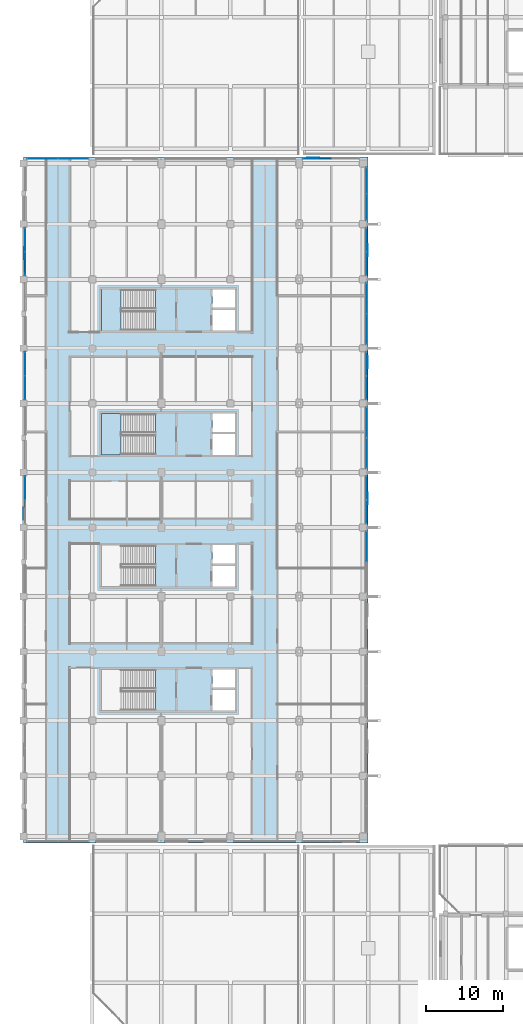
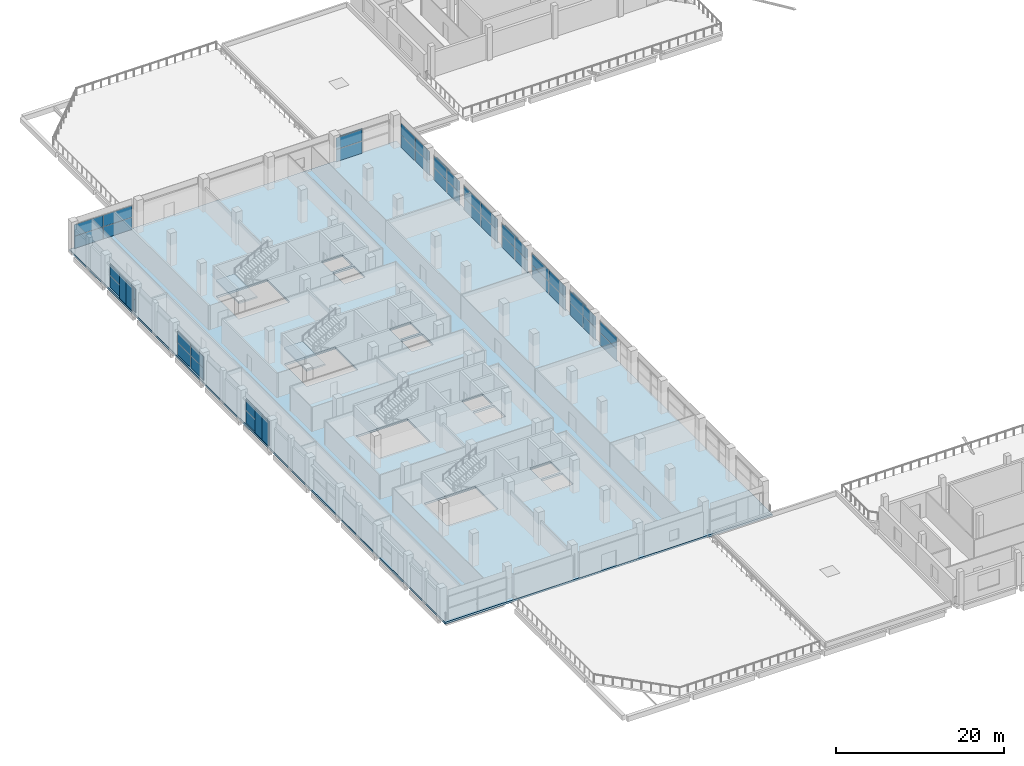
# One storey, part 38 of 82: 54 plates, 3 slabs, 14 elements without a shape of their own.
"""IFC4 building model written with IfcOpenShell, lengths in metres."""

from ifc_helpers import new_model, si_unit, direction, frame, origin, origin_2d, place, context, subcontext, project, spatial, polyline, rectangle, outline, extrude, material, layer, layer_set, type_object, element, aggregate, save


model = new_model("IFC4")

# Units and contexts
model_context = context("Model", 3, precision=1e-05, world=origin(), true_north=direction((0.0, 1.0)))
body_context = subcontext(model_context, "Body", "Model", "MODEL_VIEW")
ifc_project = project(units=[si_unit("LENGTHUNIT", "METRE"), si_unit("AREAUNIT", "SQUARE_METRE"), si_unit("VOLUMEUNIT", "CUBIC_METRE"), si_unit("PLANEANGLEUNIT", "RADIAN"), si_unit("MASSUNIT", "GRAM", prefix="KILO"), si_unit("THERMODYNAMICTEMPERATUREUNIT", "KELVIN"), si_unit("POWERUNIT", "WATT")], contexts=[model_context])

# Site, building, storey
site_placement = place(None, origin())
site = spatial("IfcSite", under=ifc_project, at=site_placement, CompositionType="ELEMENT")
building_placement = place(site_placement, origin())
building = spatial("IfcBuilding", under=site, at=building_placement, Name="Sindhuravela Promenade Stadium", CompositionType="ELEMENT")
storey_placement = place(building_placement, frame((0.0, 0.0, 14.39990234375)))
storey = spatial("IfcBuildingStorey", under=building, at=storey_placement, Name="L03", CompositionType="ELEMENT", Elevation=14.39990234375)

# Plates
ifc_material_1 = material(Name="Perforated terracotta celosia brick (15 MPa)", Category="masonry")
ifc_layer_1 = layer(ifc_material_1, 0.090087890625)
ifc_layer_set_1 = layer_set([ifc_layer_1], Name="Perforated terracotta celosia brick (15 MPa)")
plate_type_1 = type_object("IfcPlateType", Name="CL-SCR-01", PredefinedType="USERDEFINED", material=ifc_layer_set_1)
for number, where, z_axis, x_axis, name in (
    (1, (0.1201171875, 113.205078125, 0.0), (0.0, 0.0, 1.0), (0.0, 1.0, 0.0), "Perforated brick celosia screen WEST L03-32"),
    (2, (44.8798828125, 113.594970703125, 0.0), (0.0, 0.0, 1.0), (0.0, -1.0, 0.0), "Perforated brick celosia screen WEST L03-36"),
    (3, (44.8798828125, 81.195068359375, 0.0), (0.0, 0.0, 1.0), (0.0, -1.0, 0.0), "Perforated brick celosia screen WEST L03-40"),
):
    element("IfcPlate", number, at=place(storey_placement, frame(where, z_axis=z_axis, x_axis=x_axis)), inside=storey, type_object=plate_type_1, Name=name, ObjectType="SCREEN PANEL", PredefinedType="USERDEFINED", context=body_context, shape_type="SweptSolid", body=[
        extrude(rectangle(XDim=1.56005859375, YDim=0.090087890625, at=origin_2d()), origin(), (0.0, 0.0, 1.0), 3.580078125),
    ])
ifc_layer_2 = layer(ifc_material_1, 0.114990234375)
ifc_layer_set_2 = layer_set([ifc_layer_2], Name="Perforated terracotta celosia brick (15 MPa)")
plate_type_2 = type_object("IfcPlateType", Name="CL-SCR-02", PredefinedType="USERDEFINED", material=ifc_layer_set_2)
for number, where, z_axis, x_axis, name in (
    (4, (0.1201171875, 79.205078125, 0.0), (0.0, 0.0, 1.0), (0.0, 1.0, 0.0), "Perforated brick celosia screen WEST L03-29"),
    (5, (37.804931640625, 125.6298828125, 0.0), (0.0, 0.0, 1.0), (1.0, 0.0, 0.0), "Perforated brick celosia screen WEST L03-33"),
    (6, (44.8798828125, 98.9951171875, 0.0), (0.0, 0.0, 1.0), (0.0, -1.0, 0.0), "Perforated brick celosia screen WEST L03-37"),
):
    element("IfcPlate", number, at=place(storey_placement, frame(where, z_axis=z_axis, x_axis=x_axis)), inside=storey, type_object=plate_type_2, Name=name, ObjectType="SCREEN PANEL", PredefinedType="USERDEFINED", context=body_context, shape_type="SweptSolid", body=[
        extrude(rectangle(XDim=1.56005859375, YDim=0.114990234375, at=origin_2d()), origin(), (0.0, 0.0, 1.0), 3.580078125),
    ])
ifc_layer_3 = layer(ifc_material_1, 0.139892578125)
ifc_layer_set_3 = layer_set([ifc_layer_3], Name="Perforated terracotta celosia brick (15 MPa)")
plate_type_3 = type_object("IfcPlateType", Name="CL-SCR-03", PredefinedType="USERDEFINED", material=ifc_layer_set_3)
for number, where, z_axis, x_axis, name in (
    (7, (0.1201171875, 80.804931640625, 0.0), (0.0, 0.0, 1.0), (0.0, 1.0, 0.0), "Perforated brick celosia screen WEST L03-30"),
    (8, (39.405029296875, 125.6298828125, 0.0), (0.0, 0.0, 1.0), (1.0, 0.0, 0.0), "Perforated brick celosia screen WEST L03-34"),
    (9, (44.8798828125, 97.39501953125, 0.0), (0.0, 0.0, 1.0), (0.0, -1.0, 0.0), "Perforated brick celosia screen WEST L03-38"),
):
    element("IfcPlate", number, at=place(storey_placement, frame(where, z_axis=z_axis, x_axis=x_axis)), inside=storey, type_object=plate_type_3, Name=name, ObjectType="SCREEN PANEL", PredefinedType="USERDEFINED", context=body_context, shape_type="SweptSolid", body=[
        extrude(rectangle(XDim=1.56005859375, YDim=0.139892578125, at=origin_2d()), origin(), (0.0, 0.0, 1.0), 3.580078125),
    ])
ifc_layer_4 = layer(ifc_material_1, 0.1650390625)
ifc_layer_set_4 = layer_set([ifc_layer_4], Name="Perforated terracotta celosia brick (15 MPa)")
plate_type_4 = type_object("IfcPlateType", Name="CL-SCR-04", PredefinedType="USERDEFINED", material=ifc_layer_set_4)
for number, where, z_axis, x_axis, name in (
    (10, (0.1201171875, 111.60498046875, 0.0), (0.0, 0.0, 1.0), (0.0, 1.0, 0.0), "Perforated brick celosia screen WEST L03-31"),
    (11, (44.8798828125, 115.195068359375, 0.0), (0.0, 0.0, 1.0), (0.0, -1.0, 0.0), "Perforated brick celosia screen WEST L03-35"),
    (12, (44.8798828125, 82.794921875, 0.0), (0.0, 0.0, 1.0), (0.0, -1.0, 0.0), "Perforated brick celosia screen WEST L03-39"),
):
    element("IfcPlate", number, at=place(storey_placement, frame(where, z_axis=z_axis, x_axis=x_axis)), inside=storey, type_object=plate_type_4, Name=name, ObjectType="SCREEN PANEL", PredefinedType="USERDEFINED", context=body_context, shape_type="SweptSolid", body=[
        extrude(rectangle(XDim=1.56005859375, YDim=0.1650390625, at=origin_2d()), origin(), (0.0, 0.0, 1.0), 3.580078125),
    ])

# Curtain wall, plates
ifc_material_2 = material(Name="Anodised architectural aluminium 6063-T6", Category="aluminium")
curtain_wall_type_1 = type_object("IfcCurtainWallType", Name="CW-MOD-7", PredefinedType="NOTDEFINED", material=ifc_material_2)
curtain_wall_1_placement = place(storey_placement, origin())
curtain_wall_1 = element("IfcCurtainWall", 13, at=curtain_wall_1_placement, inside=storey, type_object=curtain_wall_type_1, Name="Bronze curtain wall CW-WEST-L03-030", PredefinedType="NOTDEFINED")
ifc_material_3 = material(Name="Tempered laminated low-E glass", Category="glass")
ifc_layer_5 = layer(ifc_material_3, 0.028076171875)
ifc_layer_set_5 = layer_set([ifc_layer_5], Name="Tempered laminated low-E glass")
plate_type_5 = type_object("IfcPlateType", Name="CW-PNL-01", PredefinedType="CURTAIN_PANEL", material=ifc_layer_set_5)
plate_1_placement = place(storey_placement, frame((0.199951171875, 82.550048828125, 0.01513671875), z_axis=(0.0, 0.0, 1.0), x_axis=(0.0, 1.0, 0.0)))
plate_1 = element("IfcPlate", 14, at=plate_1_placement, type_object=plate_type_5, Name="Glazed curtain panel CW-WEST-L03-030-P2.1", PredefinedType="CURTAIN_PANEL", context=body_context, shape_type="SweptSolid", body=[
    extrude(rectangle(XDim=3.0400390625, YDim=0.028076171875, at=origin_2d()), origin(), (0.0, 0.0, 1.0), 1.760009765625),
])
plate_2_placement = place(storey_placement, frame((0.199951171875, 82.550048828125, 1.80517578125), z_axis=(0.0, 0.0, 1.0), x_axis=(0.0, 1.0, 0.0)))
plate_2 = element("IfcPlate", 15, at=plate_2_placement, type_object=plate_type_5, Name="Glazed curtain panel CW-WEST-L03-030-P2.2", PredefinedType="CURTAIN_PANEL", context=body_context, shape_type="SweptSolid", body=[
    extrude(rectangle(XDim=3.0400390625, YDim=0.028076171875, at=origin_2d()), origin(), (0.0, 0.0, 1.0), 1.679931640625),
])
aggregate(curtain_wall_1, [plate_1, plate_2])

curtain_wall_type_2 = type_object("IfcCurtainWallType", Name="CW-MOD-1", PredefinedType="NOTDEFINED", material=ifc_material_2)
curtain_wall_2_placement = place(storey_placement, origin())
curtain_wall_2 = element("IfcCurtainWall", 16, at=curtain_wall_2_placement, inside=storey, type_object=curtain_wall_type_2, Name="Bronze curtain wall CW-WEST-L03-032", PredefinedType="NOTDEFINED")
plate_3_placement = place(storey_placement, frame((0.199951171875, 111.85009765625, 0.01513671875), z_axis=(0.0, 0.0, 1.0), x_axis=(0.0, 1.0, 0.0)))
plate_3 = element("IfcPlate", 17, at=plate_3_placement, type_object=plate_type_5, Name="Glazed curtain panel CW-WEST-L03-032-P1.1", PredefinedType="CURTAIN_PANEL", context=body_context, shape_type="SweptSolid", body=[
    extrude(rectangle(XDim=3.0400390625, YDim=0.028076171875, at=origin_2d()), origin(), (0.0, 0.0, 1.0), 1.760009765625),
])
plate_4_placement = place(storey_placement, frame((0.199951171875, 111.85009765625, 1.80517578125), z_axis=(0.0, 0.0, 1.0), x_axis=(0.0, 1.0, 0.0)))
plate_4 = element("IfcPlate", 18, at=plate_4_placement, type_object=plate_type_5, Name="Glazed curtain panel CW-WEST-L03-032-P1.2", PredefinedType="CURTAIN_PANEL", context=body_context, shape_type="SweptSolid", body=[
    extrude(rectangle(XDim=3.0400390625, YDim=0.028076171875, at=origin_2d()), origin(), (0.0, 0.0, 1.0), 1.679931640625),
])
plate_5_placement = place(storey_placement, frame((0.199951171875, 114.949951171875, 0.01513671875), z_axis=(0.0, 0.0, 1.0), x_axis=(0.0, 1.0, 0.0)))
plate_5 = element("IfcPlate", 19, at=plate_5_placement, type_object=plate_type_5, Name="Glazed curtain panel CW-WEST-L03-032-P2.1", PredefinedType="CURTAIN_PANEL", context=body_context, shape_type="SweptSolid", body=[
    extrude(rectangle(XDim=3.0400390625, YDim=0.028076171875, at=origin_2d()), origin(), (0.0, 0.0, 1.0), 1.760009765625),
])
plate_6_placement = place(storey_placement, frame((0.199951171875, 114.949951171875, 1.80517578125), z_axis=(0.0, 0.0, 1.0), x_axis=(0.0, 1.0, 0.0)))
plate_6 = element("IfcPlate", 20, at=plate_6_placement, type_object=plate_type_5, Name="Glazed curtain panel CW-WEST-L03-032-P2.2", PredefinedType="CURTAIN_PANEL", context=body_context, shape_type="SweptSolid", body=[
    extrude(rectangle(XDim=3.0400390625, YDim=0.028076171875, at=origin_2d()), origin(), (0.0, 0.0, 1.0), 1.679931640625),
])
aggregate(curtain_wall_2, [plate_3, plate_4, plate_5, plate_6])

curtain_wall_type_3 = type_object("IfcCurtainWallType", Name="CW-MOD-3", PredefinedType="NOTDEFINED", material=ifc_material_2)
curtain_wall_3_placement = place(storey_placement, origin())
curtain_wall_3 = element("IfcCurtainWall", 21, at=curtain_wall_3_placement, inside=storey, type_object=curtain_wall_type_3, Name="Bronze curtain wall CW-WEST-L03-034", PredefinedType="NOTDEFINED")
plate_7_placement = place(storey_placement, frame((38.324951171875, 125.550048828125, 0.01513671875), z_axis=(0.0, 0.0, 1.0), x_axis=(1.0, 0.0, 0.0)))
plate_7 = element("IfcPlate", 22, at=plate_7_placement, type_object=plate_type_5, Name="Glazed curtain panel CW-WEST-L03-034-P1.1", PredefinedType="CURTAIN_PANEL", context=body_context, shape_type="SweptSolid", body=[
    extrude(rectangle(XDim=3.590087890625, YDim=0.028076171875, at=origin_2d()), origin(), (0.0, 0.0, 1.0), 1.760009765625),
])
plate_8_placement = place(storey_placement, frame((38.324951171875, 125.550048828125, 1.80517578125), z_axis=(0.0, 0.0, 1.0), x_axis=(1.0, 0.0, 0.0)))
plate_8 = element("IfcPlate", 23, at=plate_8_placement, type_object=plate_type_5, Name="Glazed curtain panel CW-WEST-L03-034-P1.2", PredefinedType="CURTAIN_PANEL", context=body_context, shape_type="SweptSolid", body=[
    extrude(rectangle(XDim=3.590087890625, YDim=0.028076171875, at=origin_2d()), origin(), (0.0, 0.0, 1.0), 1.679931640625),
])
aggregate(curtain_wall_3, [plate_7, plate_8])

curtain_wall_type_4 = type_object("IfcCurtainWallType", Name="CW-MOD-5", PredefinedType="NOTDEFINED", material=ifc_material_2)
curtain_wall_4_placement = place(storey_placement, origin())
curtain_wall_4 = element("IfcCurtainWall", 24, at=curtain_wall_4_placement, inside=storey, type_object=curtain_wall_type_4, Name="Bronze curtain wall CW-WEST-L03-036", PredefinedType="NOTDEFINED")
plate_9_placement = place(storey_placement, frame((44.800048828125, 114.949951171875, 0.01513671875), z_axis=(0.0, 0.0, 1.0), x_axis=(0.0, -1.0, 0.0)))
plate_9 = element("IfcPlate", 25, at=plate_9_placement, type_object=plate_type_5, Name="Glazed curtain panel CW-WEST-L03-036-P1.1", PredefinedType="CURTAIN_PANEL", context=body_context, shape_type="SweptSolid", body=[
    extrude(rectangle(XDim=3.0400390625, YDim=0.028076171875, at=origin_2d()), origin(), (0.0, 0.0, 1.0), 1.760009765625),
])
plate_10_placement = place(storey_placement, frame((44.800048828125, 114.949951171875, 1.80517578125), z_axis=(0.0, 0.0, 1.0), x_axis=(0.0, -1.0, 0.0)))
plate_10 = element("IfcPlate", 26, at=plate_10_placement, type_object=plate_type_5, Name="Glazed curtain panel CW-WEST-L03-036-P1.2", PredefinedType="CURTAIN_PANEL", context=body_context, shape_type="SweptSolid", body=[
    extrude(rectangle(XDim=3.0400390625, YDim=0.028076171875, at=origin_2d()), origin(), (0.0, 0.0, 1.0), 1.679931640625),
])
plate_11_placement = place(storey_placement, frame((44.800048828125, 111.85009765625, 0.01513671875), z_axis=(0.0, 0.0, 1.0), x_axis=(0.0, -1.0, 0.0)))
plate_11 = element("IfcPlate", 27, at=plate_11_placement, type_object=plate_type_5, Name="Glazed curtain panel CW-WEST-L03-036-P2.1", PredefinedType="CURTAIN_PANEL", context=body_context, shape_type="SweptSolid", body=[
    extrude(rectangle(XDim=3.0400390625, YDim=0.028076171875, at=origin_2d()), origin(), (0.0, 0.0, 1.0), 1.760009765625),
])
plate_12_placement = place(storey_placement, frame((44.800048828125, 111.85009765625, 1.80517578125), z_axis=(0.0, 0.0, 1.0), x_axis=(0.0, -1.0, 0.0)))
plate_12 = element("IfcPlate", 28, at=plate_12_placement, type_object=plate_type_5, Name="Glazed curtain panel CW-WEST-L03-036-P2.2", PredefinedType="CURTAIN_PANEL", context=body_context, shape_type="SweptSolid", body=[
    extrude(rectangle(XDim=3.0400390625, YDim=0.028076171875, at=origin_2d()), origin(), (0.0, 0.0, 1.0), 1.679931640625),
])
aggregate(curtain_wall_4, [plate_9, plate_10, plate_11, plate_12])

curtain_wall_5_placement = place(storey_placement, origin())
curtain_wall_5 = element("IfcCurtainWall", 29, at=curtain_wall_5_placement, inside=storey, type_object=curtain_wall_type_1, Name="Bronze curtain wall CW-WEST-L03-038", PredefinedType="NOTDEFINED")
plate_13_placement = place(storey_placement, frame((44.800048828125, 98.75, 0.01513671875), z_axis=(0.0, 0.0, 1.0), x_axis=(0.0, -1.0, 0.0)))
plate_13 = element("IfcPlate", 30, at=plate_13_placement, type_object=plate_type_5, Name="Glazed curtain panel CW-WEST-L03-038-P1.1", PredefinedType="CURTAIN_PANEL", context=body_context, shape_type="SweptSolid", body=[
    extrude(rectangle(XDim=3.0400390625, YDim=0.028076171875, at=origin_2d()), origin(), (0.0, 0.0, 1.0), 1.760009765625),
])
plate_14_placement = place(storey_placement, frame((44.800048828125, 98.75, 1.80517578125), z_axis=(0.0, 0.0, 1.0), x_axis=(0.0, -1.0, 0.0)))
plate_14 = element("IfcPlate", 31, at=plate_14_placement, type_object=plate_type_5, Name="Glazed curtain panel CW-WEST-L03-038-P1.2", PredefinedType="CURTAIN_PANEL", context=body_context, shape_type="SweptSolid", body=[
    extrude(rectangle(XDim=3.0400390625, YDim=0.028076171875, at=origin_2d()), origin(), (0.0, 0.0, 1.0), 1.679931640625),
])
plate_15_placement = place(storey_placement, frame((44.800048828125, 95.64990234375, 0.01513671875), z_axis=(0.0, 0.0, 1.0), x_axis=(0.0, -1.0, 0.0)))
plate_15 = element("IfcPlate", 32, at=plate_15_placement, type_object=plate_type_5, Name="Glazed curtain panel CW-WEST-L03-038-P2.1", PredefinedType="CURTAIN_PANEL", context=body_context, shape_type="SweptSolid", body=[
    extrude(rectangle(XDim=3.0400390625, YDim=0.028076171875, at=origin_2d()), origin(), (0.0, 0.0, 1.0), 1.760009765625),
])
plate_16_placement = place(storey_placement, frame((44.800048828125, 95.64990234375, 1.80517578125), z_axis=(0.0, 0.0, 1.0), x_axis=(0.0, -1.0, 0.0)))
plate_16 = element("IfcPlate", 33, at=plate_16_placement, type_object=plate_type_5, Name="Glazed curtain panel CW-WEST-L03-038-P2.2", PredefinedType="CURTAIN_PANEL", context=body_context, shape_type="SweptSolid", body=[
    extrude(rectangle(XDim=3.0400390625, YDim=0.028076171875, at=origin_2d()), origin(), (0.0, 0.0, 1.0), 1.679931640625),
])
aggregate(curtain_wall_5, [plate_13, plate_14, plate_15, plate_16])

curtain_wall_6_placement = place(storey_placement, origin())
curtain_wall_6 = element("IfcCurtainWall", 34, at=curtain_wall_6_placement, inside=storey, type_object=curtain_wall_type_2, Name="Bronze curtain wall CW-WEST-L03-040", PredefinedType="NOTDEFINED")
plate_17_placement = place(storey_placement, frame((44.800048828125, 82.550048828125, 0.01513671875), z_axis=(0.0, 0.0, 1.0), x_axis=(0.0, -1.0, 0.0)))
plate_17 = element("IfcPlate", 35, at=plate_17_placement, type_object=plate_type_5, Name="Glazed curtain panel CW-WEST-L03-040-P1.1", PredefinedType="CURTAIN_PANEL", context=body_context, shape_type="SweptSolid", body=[
    extrude(rectangle(XDim=3.0400390625, YDim=0.028076171875, at=origin_2d()), origin(), (0.0, 0.0, 1.0), 1.760009765625),
])
plate_18_placement = place(storey_placement, frame((44.800048828125, 82.550048828125, 1.80517578125), z_axis=(0.0, 0.0, 1.0), x_axis=(0.0, -1.0, 0.0)))
plate_18 = element("IfcPlate", 36, at=plate_18_placement, type_object=plate_type_5, Name="Glazed curtain panel CW-WEST-L03-040-P1.2", PredefinedType="CURTAIN_PANEL", context=body_context, shape_type="SweptSolid", body=[
    extrude(rectangle(XDim=3.0400390625, YDim=0.028076171875, at=origin_2d()), origin(), (0.0, 0.0, 1.0), 1.679931640625),
])
plate_19_placement = place(storey_placement, frame((44.800048828125, 79.449951171875, 0.01513671875), z_axis=(0.0, 0.0, 1.0), x_axis=(0.0, -1.0, 0.0)))
plate_19 = element("IfcPlate", 37, at=plate_19_placement, type_object=plate_type_5, Name="Glazed curtain panel CW-WEST-L03-040-P2.1", PredefinedType="CURTAIN_PANEL", context=body_context, shape_type="SweptSolid", body=[
    extrude(rectangle(XDim=3.0400390625, YDim=0.028076171875, at=origin_2d()), origin(), (0.0, 0.0, 1.0), 1.760009765625),
])
plate_20_placement = place(storey_placement, frame((44.800048828125, 79.449951171875, 1.80517578125), z_axis=(0.0, 0.0, 1.0), x_axis=(0.0, -1.0, 0.0)))
plate_20 = element("IfcPlate", 38, at=plate_20_placement, type_object=plate_type_5, Name="Glazed curtain panel CW-WEST-L03-040-P2.2", PredefinedType="CURTAIN_PANEL", context=body_context, shape_type="SweptSolid", body=[
    extrude(rectangle(XDim=3.0400390625, YDim=0.028076171875, at=origin_2d()), origin(), (0.0, 0.0, 1.0), 1.679931640625),
])
aggregate(curtain_wall_6, [plate_17, plate_18, plate_19, plate_20])

curtain_wall_type_5 = type_object("IfcCurtainWallType", Name="CW-MOD-8", PredefinedType="NOTDEFINED", material=ifc_material_2)
curtain_wall_7_placement = place(storey_placement, origin())
curtain_wall_7 = element("IfcCurtainWall", 39, at=curtain_wall_7_placement, inside=storey, type_object=curtain_wall_type_5, Name="Bronze curtain wall CW-WEST-L03-031", PredefinedType="NOTDEFINED")
ifc_layer_6 = layer(ifc_material_3, 0.0400390625)
ifc_layer_set_6 = layer_set([ifc_layer_6], Name="Tempered laminated low-E glass")
plate_type_6 = type_object("IfcPlateType", Name="CW-PNL-02", PredefinedType="CURTAIN_PANEL", material=ifc_layer_set_6)
plate_21_placement = place(storey_placement, frame((0.199951171875, 95.64990234375, 0.01513671875), z_axis=(0.0, 0.0, 1.0), x_axis=(0.0, 1.0, 0.0)))
plate_21 = element("IfcPlate", 40, at=plate_21_placement, type_object=plate_type_6, Name="Glazed curtain panel CW-WEST-L03-031-P1.1", PredefinedType="CURTAIN_PANEL", context=body_context, shape_type="SweptSolid", body=[
    extrude(rectangle(XDim=3.0400390625, YDim=0.0400390625, at=origin_2d()), origin(), (0.0, 0.0, 1.0), 1.760009765625),
])
plate_22_placement = place(storey_placement, frame((0.199951171875, 95.64990234375, 1.80517578125), z_axis=(0.0, 0.0, 1.0), x_axis=(0.0, 1.0, 0.0)))
plate_22 = element("IfcPlate", 41, at=plate_22_placement, type_object=plate_type_6, Name="Glazed curtain panel CW-WEST-L03-031-P1.2", PredefinedType="CURTAIN_PANEL", context=body_context, shape_type="SweptSolid", body=[
    extrude(rectangle(XDim=3.0400390625, YDim=0.0400390625, at=origin_2d()), origin(), (0.0, 0.0, 1.0), 1.679931640625),
])
plate_23_placement = place(storey_placement, frame((0.199951171875, 98.75, 0.01513671875), z_axis=(0.0, 0.0, 1.0), x_axis=(0.0, 1.0, 0.0)))
plate_23 = element("IfcPlate", 42, at=plate_23_placement, type_object=plate_type_6, Name="Glazed curtain panel CW-WEST-L03-031-P2.1", PredefinedType="CURTAIN_PANEL", context=body_context, shape_type="SweptSolid", body=[
    extrude(rectangle(XDim=3.0400390625, YDim=0.0400390625, at=origin_2d()), origin(), (0.0, 0.0, 1.0), 1.760009765625),
])
plate_24_placement = place(storey_placement, frame((0.199951171875, 98.75, 1.80517578125), z_axis=(0.0, 0.0, 1.0), x_axis=(0.0, 1.0, 0.0)))
plate_24 = element("IfcPlate", 43, at=plate_24_placement, type_object=plate_type_6, Name="Glazed curtain panel CW-WEST-L03-031-P2.2", PredefinedType="CURTAIN_PANEL", context=body_context, shape_type="SweptSolid", body=[
    extrude(rectangle(XDim=3.0400390625, YDim=0.0400390625, at=origin_2d()), origin(), (0.0, 0.0, 1.0), 1.679931640625),
])
aggregate(curtain_wall_7, [plate_21, plate_22, plate_23, plate_24])

curtain_wall_type_6 = type_object("IfcCurtainWallType", Name="CW-MOD-2", PredefinedType="NOTDEFINED", material=ifc_material_2)
curtain_wall_8_placement = place(storey_placement, origin())
curtain_wall_8 = element("IfcCurtainWall", 44, at=curtain_wall_8_placement, inside=storey, type_object=curtain_wall_type_6, Name="Bronze curtain wall CW-WEST-L03-033", PredefinedType="NOTDEFINED")
plate_25_placement = place(storey_placement, frame((2.5, 125.550048828125, 0.01513671875), z_axis=(0.0, 0.0, 1.0), x_axis=(1.0, 0.0, 0.0)))
plate_25 = element("IfcPlate", 45, at=plate_25_placement, type_object=plate_type_6, Name="Glazed curtain panel CW-WEST-L03-033-P1.1", PredefinedType="CURTAIN_PANEL", context=body_context, shape_type="SweptSolid", body=[
    extrude(rectangle(XDim=3.93994140625, YDim=0.0400390625, at=origin_2d()), origin(), (0.0, 0.0, 1.0), 1.760009765625),
])
plate_26_placement = place(storey_placement, frame((2.5, 125.550048828125, 1.80517578125), z_axis=(0.0, 0.0, 1.0), x_axis=(1.0, 0.0, 0.0)))
plate_26 = element("IfcPlate", 46, at=plate_26_placement, type_object=plate_type_6, Name="Glazed curtain panel CW-WEST-L03-033-P1.2", PredefinedType="CURTAIN_PANEL", context=body_context, shape_type="SweptSolid", body=[
    extrude(rectangle(XDim=3.93994140625, YDim=0.0400390625, at=origin_2d()), origin(), (0.0, 0.0, 1.0), 1.679931640625),
])
plate_27_placement = place(storey_placement, frame((6.5, 125.550048828125, 0.01513671875), z_axis=(0.0, 0.0, 1.0), x_axis=(1.0, 0.0, 0.0)))
plate_27 = element("IfcPlate", 47, at=plate_27_placement, type_object=plate_type_6, Name="Glazed curtain panel CW-WEST-L03-033-P2.1", PredefinedType="CURTAIN_PANEL", context=body_context, shape_type="SweptSolid", body=[
    extrude(rectangle(XDim=3.93994140625, YDim=0.0400390625, at=origin_2d()), origin(), (0.0, 0.0, 1.0), 1.760009765625),
])
plate_28_placement = place(storey_placement, frame((6.5, 125.550048828125, 1.80517578125), z_axis=(0.0, 0.0, 1.0), x_axis=(1.0, 0.0, 0.0)))
plate_28 = element("IfcPlate", 48, at=plate_28_placement, type_object=plate_type_6, Name="Glazed curtain panel CW-WEST-L03-033-P2.2", PredefinedType="CURTAIN_PANEL", context=body_context, shape_type="SweptSolid", body=[
    extrude(rectangle(XDim=3.93994140625, YDim=0.0400390625, at=origin_2d()), origin(), (0.0, 0.0, 1.0), 1.679931640625),
])
aggregate(curtain_wall_8, [plate_25, plate_26, plate_27, plate_28])

curtain_wall_type_7 = type_object("IfcCurtainWallType", Name="CW-MOD-4", PredefinedType="NOTDEFINED", material=ifc_material_2)
curtain_wall_9_placement = place(storey_placement, origin())
curtain_wall_9 = element("IfcCurtainWall", 49, at=curtain_wall_9_placement, inside=storey, type_object=curtain_wall_type_7, Name="Bronze curtain wall CW-WEST-L03-035", PredefinedType="NOTDEFINED")
plate_29_placement = place(storey_placement, frame((44.800048828125, 122.675048828125, 0.01513671875), z_axis=(0.0, 0.0, 1.0), x_axis=(0.0, -1.0, 0.0)))
plate_29 = element("IfcPlate", 50, at=plate_29_placement, type_object=plate_type_6, Name="Glazed curtain panel CW-WEST-L03-035-P1.1", PredefinedType="CURTAIN_PANEL", context=body_context, shape_type="SweptSolid", body=[
    extrude(rectangle(XDim=3.389892578125, YDim=0.0400390625, at=origin_2d()), origin(), (0.0, 0.0, 1.0), 1.760009765625),
])
plate_30_placement = place(storey_placement, frame((44.800048828125, 122.675048828125, 1.80517578125), z_axis=(0.0, 0.0, 1.0), x_axis=(0.0, -1.0, 0.0)))
plate_30 = element("IfcPlate", 51, at=plate_30_placement, type_object=plate_type_6, Name="Glazed curtain panel CW-WEST-L03-035-P1.2", PredefinedType="CURTAIN_PANEL", context=body_context, shape_type="SweptSolid", body=[
    extrude(rectangle(XDim=3.389892578125, YDim=0.0400390625, at=origin_2d()), origin(), (0.0, 0.0, 1.0), 1.679931640625),
])
plate_31_placement = place(storey_placement, frame((44.800048828125, 119.22509765625, 0.01513671875), z_axis=(0.0, 0.0, 1.0), x_axis=(0.0, -1.0, 0.0)))
plate_31 = element("IfcPlate", 52, at=plate_31_placement, type_object=plate_type_6, Name="Glazed curtain panel CW-WEST-L03-035-P2.1", PredefinedType="CURTAIN_PANEL", context=body_context, shape_type="SweptSolid", body=[
    extrude(rectangle(XDim=3.389892578125, YDim=0.0400390625, at=origin_2d()), origin(), (0.0, 0.0, 1.0), 1.760009765625),
])
plate_32_placement = place(storey_placement, frame((44.800048828125, 119.22509765625, 1.80517578125), z_axis=(0.0, 0.0, 1.0), x_axis=(0.0, -1.0, 0.0)))
plate_32 = element("IfcPlate", 53, at=plate_32_placement, type_object=plate_type_6, Name="Glazed curtain panel CW-WEST-L03-035-P2.2", PredefinedType="CURTAIN_PANEL", context=body_context, shape_type="SweptSolid", body=[
    extrude(rectangle(XDim=3.389892578125, YDim=0.0400390625, at=origin_2d()), origin(), (0.0, 0.0, 1.0), 1.679931640625),
])
aggregate(curtain_wall_9, [plate_29, plate_30, plate_31, plate_32])

curtain_wall_type_8 = type_object("IfcCurtainWallType", Name="CW-MOD-6", PredefinedType="NOTDEFINED", material=ifc_material_2)
curtain_wall_10_placement = place(storey_placement, origin())
curtain_wall_10 = element("IfcCurtainWall", 54, at=curtain_wall_10_placement, inside=storey, type_object=curtain_wall_type_8, Name="Bronze curtain wall CW-WEST-L03-037", PredefinedType="NOTDEFINED")
plate_33_placement = place(storey_placement, frame((44.800048828125, 107.300048828125, 0.01513671875), z_axis=(0.0, 0.0, 1.0), x_axis=(0.0, -1.0, 0.0)))
plate_33 = element("IfcPlate", 55, at=plate_33_placement, type_object=plate_type_6, Name="Glazed curtain panel CW-WEST-L03-037-P1.1", PredefinedType="CURTAIN_PANEL", context=body_context, shape_type="SweptSolid", body=[
    extrude(rectangle(XDim=3.93994140625, YDim=0.0400390625, at=origin_2d()), origin(), (0.0, 0.0, 1.0), 1.760009765625),
])
plate_34_placement = place(storey_placement, frame((44.800048828125, 107.300048828125, 1.80517578125), z_axis=(0.0, 0.0, 1.0), x_axis=(0.0, -1.0, 0.0)))
plate_34 = element("IfcPlate", 56, at=plate_34_placement, type_object=plate_type_6, Name="Glazed curtain panel CW-WEST-L03-037-P1.2", PredefinedType="CURTAIN_PANEL", context=body_context, shape_type="SweptSolid", body=[
    extrude(rectangle(XDim=3.93994140625, YDim=0.0400390625, at=origin_2d()), origin(), (0.0, 0.0, 1.0), 1.679931640625),
])
plate_35_placement = place(storey_placement, frame((44.800048828125, 103.300048828125, 0.01513671875), z_axis=(0.0, 0.0, 1.0), x_axis=(0.0, -1.0, 0.0)))
plate_35 = element("IfcPlate", 57, at=plate_35_placement, type_object=plate_type_6, Name="Glazed curtain panel CW-WEST-L03-037-P2.1", PredefinedType="CURTAIN_PANEL", context=body_context, shape_type="SweptSolid", body=[
    extrude(rectangle(XDim=3.93994140625, YDim=0.0400390625, at=origin_2d()), origin(), (0.0, 0.0, 1.0), 1.760009765625),
])
plate_36_placement = place(storey_placement, frame((44.800048828125, 103.300048828125, 1.80517578125), z_axis=(0.0, 0.0, 1.0), x_axis=(0.0, -1.0, 0.0)))
plate_36 = element("IfcPlate", 58, at=plate_36_placement, type_object=plate_type_6, Name="Glazed curtain panel CW-WEST-L03-037-P2.2", PredefinedType="CURTAIN_PANEL", context=body_context, shape_type="SweptSolid", body=[
    extrude(rectangle(XDim=3.93994140625, YDim=0.0400390625, at=origin_2d()), origin(), (0.0, 0.0, 1.0), 1.679931640625),
])
aggregate(curtain_wall_10, [plate_33, plate_34, plate_35, plate_36])

curtain_wall_11_placement = place(storey_placement, origin())
curtain_wall_11 = element("IfcCurtainWall", 59, at=curtain_wall_11_placement, inside=storey, type_object=curtain_wall_type_5, Name="Bronze curtain wall CW-WEST-L03-039", PredefinedType="NOTDEFINED")
plate_37_placement = place(storey_placement, frame((44.800048828125, 91.10009765625, 0.01513671875), z_axis=(0.0, 0.0, 1.0), x_axis=(0.0, -1.0, 0.0)))
plate_37 = element("IfcPlate", 60, at=plate_37_placement, type_object=plate_type_6, Name="Glazed curtain panel CW-WEST-L03-039-P1.1", PredefinedType="CURTAIN_PANEL", context=body_context, shape_type="SweptSolid", body=[
    extrude(rectangle(XDim=3.93994140625, YDim=0.0400390625, at=origin_2d()), origin(), (0.0, 0.0, 1.0), 1.760009765625),
])
plate_38_placement = place(storey_placement, frame((44.800048828125, 91.10009765625, 1.80517578125), z_axis=(0.0, 0.0, 1.0), x_axis=(0.0, -1.0, 0.0)))
plate_38 = element("IfcPlate", 61, at=plate_38_placement, type_object=plate_type_6, Name="Glazed curtain panel CW-WEST-L03-039-P1.2", PredefinedType="CURTAIN_PANEL", context=body_context, shape_type="SweptSolid", body=[
    extrude(rectangle(XDim=3.93994140625, YDim=0.0400390625, at=origin_2d()), origin(), (0.0, 0.0, 1.0), 1.679931640625),
])
plate_39_placement = place(storey_placement, frame((44.800048828125, 87.10009765625, 0.01513671875), z_axis=(0.0, 0.0, 1.0), x_axis=(0.0, -1.0, 0.0)))
plate_39 = element("IfcPlate", 62, at=plate_39_placement, type_object=plate_type_6, Name="Glazed curtain panel CW-WEST-L03-039-P2.1", PredefinedType="CURTAIN_PANEL", context=body_context, shape_type="SweptSolid", body=[
    extrude(rectangle(XDim=3.93994140625, YDim=0.0400390625, at=origin_2d()), origin(), (0.0, 0.0, 1.0), 1.760009765625),
])
plate_40_placement = place(storey_placement, frame((44.800048828125, 87.10009765625, 1.80517578125), z_axis=(0.0, 0.0, 1.0), x_axis=(0.0, -1.0, 0.0)))
plate_40 = element("IfcPlate", 63, at=plate_40_placement, type_object=plate_type_6, Name="Glazed curtain panel CW-WEST-L03-039-P2.2", PredefinedType="CURTAIN_PANEL", context=body_context, shape_type="SweptSolid", body=[
    extrude(rectangle(XDim=3.93994140625, YDim=0.0400390625, at=origin_2d()), origin(), (0.0, 0.0, 1.0), 1.679931640625),
])
aggregate(curtain_wall_11, [plate_37, plate_38, plate_39, plate_40])

curtain_wall_12_placement = place(storey_placement, origin())
curtain_wall_12 = element("IfcCurtainWall", 64, at=curtain_wall_12_placement, inside=storey, type_object=curtain_wall_type_6, Name="Bronze curtain wall CW-WEST-L03-041", PredefinedType="NOTDEFINED")
plate_41_placement = place(storey_placement, frame((44.800048828125, 74.89990234375, 0.01513671875), z_axis=(0.0, 0.0, 1.0), x_axis=(0.0, -1.0, 0.0)))
plate_41 = element("IfcPlate", 65, at=plate_41_placement, type_object=plate_type_6, Name="Glazed curtain panel CW-WEST-L03-041-P1.1", PredefinedType="CURTAIN_PANEL", context=body_context, shape_type="SweptSolid", body=[
    extrude(rectangle(XDim=3.93994140625, YDim=0.0400390625, at=origin_2d()), origin(), (0.0, 0.0, 1.0), 1.760009765625),
])
plate_42_placement = place(storey_placement, frame((44.800048828125, 74.89990234375, 1.80517578125), z_axis=(0.0, 0.0, 1.0), x_axis=(0.0, -1.0, 0.0)))
plate_42 = element("IfcPlate", 66, at=plate_42_placement, type_object=plate_type_6, Name="Glazed curtain panel CW-WEST-L03-041-P1.2", PredefinedType="CURTAIN_PANEL", context=body_context, shape_type="SweptSolid", body=[
    extrude(rectangle(XDim=3.93994140625, YDim=0.0400390625, at=origin_2d()), origin(), (0.0, 0.0, 1.0), 1.679931640625),
])
aggregate(curtain_wall_12, [plate_41, plate_42])

# Slab
ifc_material_4 = material(Name="Concrete M40", Category="concrete")
ifc_layer_7 = layer(ifc_material_4, 0.300048828125)
ifc_layer_set_7 = layer_set([ifc_layer_7], Name="Concrete M40")
slab_type_1 = type_object("IfcSlabType", Name="SL-FLR-300", PredefinedType="FLOOR", material=ifc_layer_set_7)
slab_1_placement = place(storey_placement, frame((0.0, 0.0, -0.2998046875)))
element("IfcSlab", 67, at=slab_1_placement, inside=storey, type_object=slab_type_1, Name="Floor slab WEST L03", PredefinedType="FLOOR", context=body_context, shape_type="SweptSolid", body=[
    extrude(outline(polyline([(0.0, 36.25), (45.0, 36.25), (45.0, 125.75), (0.0, 125.75), (0.0, 36.25)]), holes=[polyline([(10.199951171875, 53.5), (17.249267578125, 53.5), (17.249267578125, 58.89990234375), (10.199951171875, 58.89990234375), (10.199951171875, 53.5)]), polyline([(24.699951171875, 56.5), (27.60009765625, 56.5), (27.60009765625, 58.89990234375), (24.699951171875, 58.89990234375), (24.699951171875, 56.5)]), polyline([(24.699951171875, 53.5), (27.60009765625, 53.5), (27.60009765625, 56.199951171875), (24.699951171875, 56.199951171875), (24.699951171875, 53.5)]), polyline([(10.199951171875, 69.699951171875), (17.249267578125, 69.699951171875), (17.249267578125, 75.10009765625), (10.199951171875, 75.10009765625), (10.199951171875, 69.699951171875)]), polyline([(24.699951171875, 72.699951171875), (27.60009765625, 72.699951171875), (27.60009765625, 75.10009765625), (24.699951171875, 75.10009765625), (24.699951171875, 72.699951171875)]), polyline([(24.699951171875, 69.699951171875), (27.60009765625, 69.699951171875), (27.60009765625, 72.39990234375), (24.699951171875, 72.39990234375), (24.699951171875, 69.699951171875)]), polyline([(10.199951171875, 86.89990234375), (17.249267578125, 86.89990234375), (17.249267578125, 92.300048828125), (10.199951171875, 92.300048828125), (10.199951171875, 86.89990234375)]), polyline([(24.699951171875, 89.89990234375), (27.60009765625, 89.89990234375), (27.60009765625, 92.300048828125), (24.699951171875, 92.300048828125), (24.699951171875, 89.89990234375)]), polyline([(24.699951171875, 86.89990234375), (27.60009765625, 86.89990234375), (27.60009765625, 89.60009765625), (24.699951171875, 89.60009765625), (24.699951171875, 86.89990234375)]), polyline([(10.199951171875, 103.10009765625), (17.249267578125, 103.10009765625), (17.249267578125, 108.5), (10.199951171875, 108.5), (10.199951171875, 103.10009765625)]), polyline([(24.699951171875, 106.10009765625), (27.60009765625, 106.10009765625), (27.60009765625, 108.5), (24.699951171875, 108.5), (24.699951171875, 106.10009765625)]), polyline([(24.699951171875, 103.10009765625), (27.60009765625, 103.10009765625), (27.60009765625, 105.800048828125), (24.699951171875, 105.800048828125), (24.699951171875, 103.10009765625)])]), origin(), (0.0, 0.0, 1.0), 0.2998046875),
])

# Stair, slab
stair_type = type_object("IfcStairType", Name="ST-CORE-DOGLEG", PredefinedType="HALF_TURN_STAIR", material=ifc_material_4)
stair_1_placement = place(storey_placement, origin())
stair_1 = element("IfcStair", 68, at=stair_1_placement, inside=storey, type_object=stair_type, Name="Protected escape stair ST03 (L03)", PredefinedType="HALF_TURN_STAIR")
ifc_layer_8 = layer(ifc_material_4, 0.219970703125)
ifc_layer_set_8 = layer_set([ifc_layer_8], Name="Concrete M40")
slab_type_2 = type_object("IfcSlabType", Name="SL-LND-220", PredefinedType="LANDING", material=ifc_layer_set_8)
slab_2_placement = place(storey_placement, frame((0.0, 0.0, 2.18017578125)))
slab_2 = element("IfcSlab", 69, at=slab_2_placement, type_object=slab_type_2, Name="Stair ST03 half-landing (L03)", PredefinedType="LANDING", context=body_context, shape_type="SweptSolid", body=[
    extrude(outline(polyline([(10.179931640625, 86.8798828125), (12.751953125, 86.8798828125), (12.751953125, 92.320068359375), (10.179931640625, 92.320068359375), (10.179931640625, 86.8798828125)])), origin(), (0.0, 0.0, 1.0), 0.219970703125),
])
aggregate(stair_1, [slab_2])

stair_2_placement = place(storey_placement, origin())
stair_2 = element("IfcStair", 70, at=stair_2_placement, inside=storey, type_object=stair_type, Name="Protected escape stair ST04 (L03)", PredefinedType="HALF_TURN_STAIR")
slab_3_placement = place(storey_placement, frame((0.0, 0.0, 2.18017578125)))
slab_3 = element("IfcSlab", 71, at=slab_3_placement, type_object=slab_type_2, Name="Stair ST04 half-landing (L03)", PredefinedType="LANDING", context=body_context, shape_type="SweptSolid", body=[
    extrude(outline(polyline([(10.179931640625, 103.080078125), (12.751953125, 103.080078125), (12.751953125, 108.52001953125), (10.179931640625, 108.52001953125), (10.179931640625, 103.080078125)])), origin(), (0.0, 0.0, 1.0), 0.219970703125),
])
aggregate(stair_2, [slab_3])

save(model, "model.ifc")
